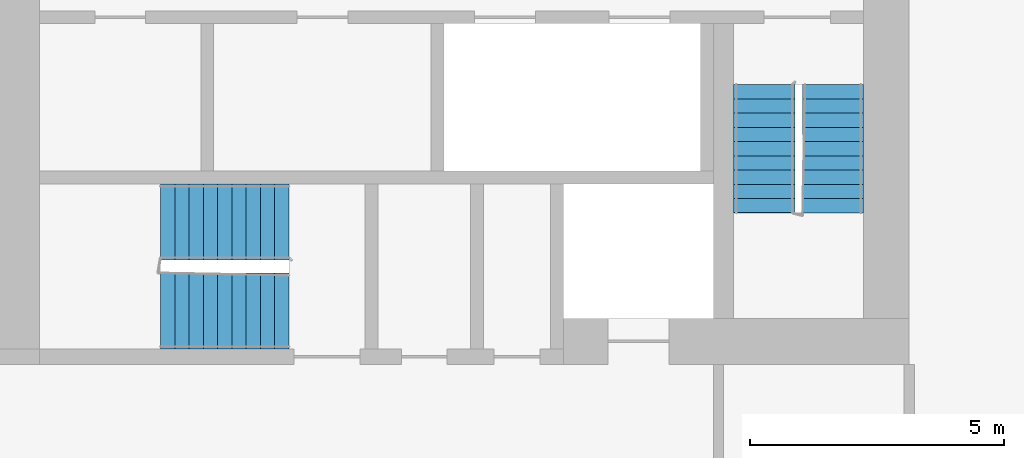
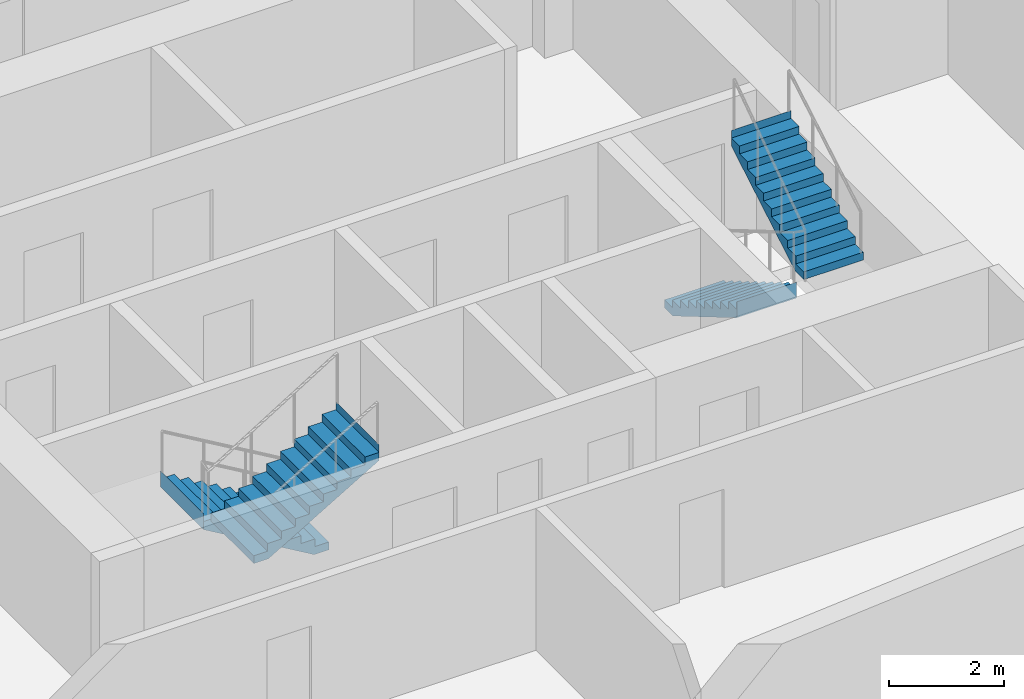
# One storey, part 9 of 12: 4 stair flights, 2 elements without a shape of their own.
"""IFC4 building model written with IfcOpenShell, lengths in metres."""

from ifc_helpers import new_model, si_unit, direction, frame, origin, place, context, subcontext, project, spatial, faceted_brep, material, type_object, element, aggregate, save


model = new_model("IFC4")

# Units and contexts
model_context = context("Model", 3, precision=1e-05, world=origin(), true_north=direction((0.0, 1.0)))
body_context = subcontext(model_context, "Body", "Model", "MODEL_VIEW")
ifc_project = project(units=[si_unit("LENGTHUNIT", "METRE"), si_unit("AREAUNIT", "SQUARE_METRE"), si_unit("VOLUMEUNIT", "CUBIC_METRE"), si_unit("PLANEANGLEUNIT", "RADIAN"), si_unit("MASSUNIT", "GRAM", prefix="KILO")], contexts=[model_context])

# Site, building, storey
site_placement = place(None, origin())
site = spatial("IfcSite", under=ifc_project, at=site_placement, CompositionType="ELEMENT")
building_placement = place(site_placement, origin())
building = spatial("IfcBuilding", under=site, at=building_placement, Name="Kajstack Hotel Tower", CompositionType="ELEMENT")
storey_placement = place(building_placement, frame((0.0, 0.0, 190.0)))
storey = spatial("IfcBuildingStorey", under=building, at=storey_placement, Name="L45", CompositionType="ELEMENT", Elevation=190.0)

# Stair, stair flights
ifc_material = material(Name="Concrete C40/50", Category="concrete")
stair_type_1 = type_object("IfcStairType", Name="Exit stair 1200", PredefinedType="HALF_TURN_STAIR", material=ifc_material)
stair_1_placement = place(storey_placement, origin())
stair_1 = element("IfcStair", 1, at=stair_1_placement, inside=storey, type_object=stair_type_1, Name="L45 stair W2", PredefinedType="HALF_TURN_STAIR")
stair_flight_type_1 = type_object("IfcStairFlightType", Name="Exit stair flight 1200", PredefinedType="STRAIGHT", material=ifc_material)
stair_flight_1_placement = place(storey_placement, frame((-16.35009765625, -10.0, 0.0), z_axis=(0.0, 0.0, 1.0), x_axis=(0.0, -1.0, 0.0)))
stair_flight_1 = element("IfcStairFlight", 2, at=stair_flight_1_placement, type_object=stair_flight_type_1, Name="W2 flight 1", NumberOfRisers=10, NumberOfTreads=9, PredefinedType="STRAIGHT", RiserHeight=0.165, TreadLength=0.28, context=body_context, shape_type="Brep", body=[
    faceted_brep([(0.295654296875, -0.60009765625, 0.0), (2.5205078125, -0.60009765625, 1.31103515625), (2.5205078125, -0.60009765625, 1.64990234375), (2.52001953125, -0.60009765625, 1.64990234375), (2.52001953125, -0.60009765625, 1.485107421875), (2.239990234375, -0.60009765625, 1.485107421875), (2.239990234375, -0.60009765625, 1.320068359375), (1.9599609375, -0.60009765625, 1.320068359375), (1.9599609375, -0.60009765625, 1.155029296875), (1.679931640625, -0.60009765625, 1.155029296875), (1.679931640625, -0.60009765625, 0.989990234375), (1.39990234375, -0.60009765625, 0.989990234375), (1.39990234375, -0.60009765625, 0.824951171875), (1.1201171875, -0.60009765625, 0.824951171875), (1.1201171875, -0.60009765625, 0.659912109375), (0.840087890625, -0.60009765625, 0.659912109375), (0.840087890625, -0.60009765625, 0.4951171875), (0.56005859375, -0.60009765625, 0.4951171875), (0.56005859375, -0.60009765625, 0.330078125), (0.280029296875, -0.60009765625, 0.330078125), (0.280029296875, -0.60009765625, 0.1650390625), (-0.00048828125, -0.60009765625, 0.1650390625), (-0.00048828125, -0.60009765625, 0.0), (-0.00048828125, 0.60009765625, 0.0), (-0.00048828125, 0.60009765625, 0.1650390625), (0.280029296875, 0.60009765625, 0.1650390625), (0.280029296875, 0.60009765625, 0.330078125), (0.56005859375, 0.60009765625, 0.330078125), (0.56005859375, 0.60009765625, 0.4951171875), (0.840087890625, 0.60009765625, 0.4951171875), (0.840087890625, 0.60009765625, 0.659912109375), (1.1201171875, 0.60009765625, 0.659912109375), (1.1201171875, 0.60009765625, 0.824951171875), (1.39990234375, 0.60009765625, 0.824951171875), (1.39990234375, 0.60009765625, 0.989990234375), (1.679931640625, 0.60009765625, 0.989990234375), (1.679931640625, 0.60009765625, 1.155029296875), (1.9599609375, 0.60009765625, 1.155029296875), (1.9599609375, 0.60009765625, 1.320068359375), (2.239990234375, 0.60009765625, 1.320068359375), (2.239990234375, 0.60009765625, 1.485107421875), (2.52001953125, 0.60009765625, 1.485107421875), (2.52001953125, 0.60009765625, 1.64990234375), (2.5205078125, 0.60009765625, 1.64990234375), (2.5205078125, 0.60009765625, 1.31103515625), (0.295654296875, 0.60009765625, 0.0), (-0.00048828125, -0.300048828125, 0.1650390625), (-0.00048828125, 0.0, 0.1650390625), (-0.00048828125, 0.300048828125, 0.1650390625), (-0.00048828125, 0.300048828125, 0.0), (-0.00048828125, 0.0, 0.0), (-0.00048828125, -0.300048828125, 0.0), (0.280029296875, -0.300048828125, 0.1650390625), (0.280029296875, 0.0, 0.1650390625), (0.280029296875, 0.300048828125, 0.1650390625), (0.280029296875, -0.300048828125, 0.330078125), (0.280029296875, 0.0, 0.330078125), (0.280029296875, 0.300048828125, 0.330078125), (0.56005859375, -0.300048828125, 0.330078125), (0.56005859375, 0.0, 0.330078125), (0.56005859375, 0.300048828125, 0.330078125), (0.56005859375, -0.300048828125, 0.4951171875), (0.56005859375, 0.0, 0.4951171875), (0.56005859375, 0.300048828125, 0.4951171875), (0.840087890625, -0.300048828125, 0.4951171875), (0.840087890625, 0.0, 0.4951171875), (0.840087890625, 0.300048828125, 0.4951171875), (0.840087890625, -0.300048828125, 0.659912109375), (0.840087890625, 0.0, 0.659912109375), (0.840087890625, 0.300048828125, 0.659912109375), (1.1201171875, -0.300048828125, 0.659912109375), (1.1201171875, 0.0, 0.659912109375), (1.1201171875, 0.300048828125, 0.659912109375), (1.1201171875, -0.300048828125, 0.824951171875), (1.1201171875, 0.0, 0.824951171875), (1.1201171875, 0.300048828125, 0.824951171875), (1.39990234375, -0.300048828125, 0.824951171875), (1.39990234375, 0.0, 0.824951171875), (1.39990234375, 0.300048828125, 0.824951171875), (1.39990234375, -0.300048828125, 0.989990234375), (1.39990234375, 0.0, 0.989990234375), (1.39990234375, 0.300048828125, 0.989990234375), (1.679931640625, -0.300048828125, 0.989990234375), (1.679931640625, 0.0, 0.989990234375), (1.679931640625, 0.300048828125, 0.989990234375), (1.679931640625, -0.300048828125, 1.155029296875), (1.679931640625, 0.0, 1.155029296875), (1.679931640625, 0.300048828125, 1.155029296875), (1.9599609375, -0.300048828125, 1.155029296875), (1.9599609375, 0.0, 1.155029296875), (1.9599609375, 0.300048828125, 1.155029296875), (1.9599609375, -0.300048828125, 1.320068359375), (1.9599609375, 0.0, 1.320068359375), (1.9599609375, 0.300048828125, 1.320068359375), (2.239990234375, -0.300048828125, 1.320068359375), (2.239990234375, 0.0, 1.320068359375), (2.239990234375, 0.300048828125, 1.320068359375), (2.239990234375, -0.300048828125, 1.485107421875), (2.239990234375, 0.0, 1.485107421875), (2.239990234375, 0.300048828125, 1.485107421875), (2.52001953125, -0.300048828125, 1.485107421875), (2.52001953125, 0.0, 1.485107421875), (2.52001953125, 0.300048828125, 1.485107421875), (2.52001953125, -0.300048828125, 1.64990234375), (2.52001953125, 0.0, 1.64990234375), (2.52001953125, 0.300048828125, 1.64990234375), (2.5205078125, -0.300048828125, 1.64990234375), (2.5205078125, 0.0, 1.64990234375), (2.5205078125, 0.300048828125, 1.64990234375), (2.5205078125, -0.300048828125, 1.31103515625), (2.5205078125, 0.0, 1.31103515625), (2.5205078125, 0.300048828125, 1.31103515625), (0.295654296875, -0.300048828125, 0.0), (0.295654296875, 0.0, 0.0), (0.295654296875, 0.300048828125, 0.0)], [[[0, 1, 2, 3, 4, 5, 6, 7, 8, 9, 10, 11, 12, 13, 14, 15, 16, 17, 18, 19, 20, 21, 22]], [[23, 24, 25, 26, 27, 28, 29, 30, 31, 32, 33, 34, 35, 36, 37, 38, 39, 40, 41, 42, 43, 44, 45]], [[21, 46, 47, 48, 24, 23, 49, 50, 51, 22]], [[20, 52, 53, 54, 25, 24, 48, 47, 46, 21]], [[19, 55, 56, 57, 26, 25, 54, 53, 52, 20]], [[18, 58, 59, 60, 27, 26, 57, 56, 55, 19]], [[17, 61, 62, 63, 28, 27, 60, 59, 58, 18]], [[16, 64, 65, 66, 29, 28, 63, 62, 61, 17]], [[15, 67, 68, 69, 30, 29, 66, 65, 64, 16]], [[14, 70, 71, 72, 31, 30, 69, 68, 67, 15]], [[13, 73, 74, 75, 32, 31, 72, 71, 70, 14]], [[12, 76, 77, 78, 33, 32, 75, 74, 73, 13]], [[11, 79, 80, 81, 34, 33, 78, 77, 76, 12]], [[10, 82, 83, 84, 35, 34, 81, 80, 79, 11]], [[9, 85, 86, 87, 36, 35, 84, 83, 82, 10]], [[8, 88, 89, 90, 37, 36, 87, 86, 85, 9]], [[7, 91, 92, 93, 38, 37, 90, 89, 88, 8]], [[6, 94, 95, 96, 39, 38, 93, 92, 91, 7]], [[5, 97, 98, 99, 40, 39, 96, 95, 94, 6]], [[4, 100, 101, 102, 41, 40, 99, 98, 97, 5]], [[3, 103, 104, 105, 42, 41, 102, 101, 100, 4]], [[2, 106, 107, 108, 43, 42, 105, 104, 103, 3]], [[1, 109, 110, 111, 44, 43, 108, 107, 106, 2]], [[0, 112, 113, 114, 45, 44, 111, 110, 109, 1]], [[22, 51, 50, 49, 23, 45, 114, 113, 112, 0]]]),
])
stair_flight_2_placement = place(storey_placement, frame((-15.0, -12.52001953125, 1.64990234375), z_axis=(0.0, 0.0, 1.0), x_axis=(0.0, 1.0, 0.0)))
stair_flight_2 = element("IfcStairFlight", 3, at=stair_flight_2_placement, type_object=stair_flight_type_1, Name="W2 flight 2", NumberOfRisers=10, NumberOfTreads=9, PredefinedType="STRAIGHT", RiserHeight=0.165, TreadLength=0.28, context=body_context, shape_type="Brep", body=[
    faceted_brep([(0.295654296875, -0.60009765625, 0.0), (2.5205078125, -0.60009765625, 1.31103515625), (2.5205078125, -0.60009765625, 1.64990234375), (2.52001953125, -0.60009765625, 1.64990234375), (2.52001953125, -0.60009765625, 1.485107421875), (2.239990234375, -0.60009765625, 1.485107421875), (2.239990234375, -0.60009765625, 1.320068359375), (1.9599609375, -0.60009765625, 1.320068359375), (1.9599609375, -0.60009765625, 1.155029296875), (1.679931640625, -0.60009765625, 1.155029296875), (1.679931640625, -0.60009765625, 0.989990234375), (1.39990234375, -0.60009765625, 0.989990234375), (1.39990234375, -0.60009765625, 0.824951171875), (1.1201171875, -0.60009765625, 0.824951171875), (1.1201171875, -0.60009765625, 0.659912109375), (0.840087890625, -0.60009765625, 0.659912109375), (0.840087890625, -0.60009765625, 0.4951171875), (0.56005859375, -0.60009765625, 0.4951171875), (0.56005859375, -0.60009765625, 0.330078125), (0.280029296875, -0.60009765625, 0.330078125), (0.280029296875, -0.60009765625, 0.1650390625), (-0.00048828125, -0.60009765625, 0.1650390625), (-0.00048828125, -0.60009765625, 0.0), (-0.00048828125, 0.60009765625, 0.0), (-0.00048828125, 0.60009765625, 0.1650390625), (0.280029296875, 0.60009765625, 0.1650390625), (0.280029296875, 0.60009765625, 0.330078125), (0.56005859375, 0.60009765625, 0.330078125), (0.56005859375, 0.60009765625, 0.4951171875), (0.840087890625, 0.60009765625, 0.4951171875), (0.840087890625, 0.60009765625, 0.659912109375), (1.1201171875, 0.60009765625, 0.659912109375), (1.1201171875, 0.60009765625, 0.824951171875), (1.39990234375, 0.60009765625, 0.824951171875), (1.39990234375, 0.60009765625, 0.989990234375), (1.679931640625, 0.60009765625, 0.989990234375), (1.679931640625, 0.60009765625, 1.155029296875), (1.9599609375, 0.60009765625, 1.155029296875), (1.9599609375, 0.60009765625, 1.320068359375), (2.239990234375, 0.60009765625, 1.320068359375), (2.239990234375, 0.60009765625, 1.485107421875), (2.52001953125, 0.60009765625, 1.485107421875), (2.52001953125, 0.60009765625, 1.64990234375), (2.5205078125, 0.60009765625, 1.64990234375), (2.5205078125, 0.60009765625, 1.31103515625), (0.295654296875, 0.60009765625, 0.0), (-0.00048828125, -0.300048828125, 0.1650390625), (-0.00048828125, 0.0, 0.1650390625), (-0.00048828125, 0.300048828125, 0.1650390625), (-0.00048828125, 0.300048828125, 0.0), (-0.00048828125, 0.0, 0.0), (-0.00048828125, -0.300048828125, 0.0), (0.280029296875, -0.300048828125, 0.1650390625), (0.280029296875, 0.0, 0.1650390625), (0.280029296875, 0.300048828125, 0.1650390625), (0.280029296875, -0.300048828125, 0.330078125), (0.280029296875, 0.0, 0.330078125), (0.280029296875, 0.300048828125, 0.330078125), (0.56005859375, -0.300048828125, 0.330078125), (0.56005859375, 0.0, 0.330078125), (0.56005859375, 0.300048828125, 0.330078125), (0.56005859375, -0.300048828125, 0.4951171875), (0.56005859375, 0.0, 0.4951171875), (0.56005859375, 0.300048828125, 0.4951171875), (0.840087890625, -0.300048828125, 0.4951171875), (0.840087890625, 0.0, 0.4951171875), (0.840087890625, 0.300048828125, 0.4951171875), (0.840087890625, -0.300048828125, 0.659912109375), (0.840087890625, 0.0, 0.659912109375), (0.840087890625, 0.300048828125, 0.659912109375), (1.1201171875, -0.300048828125, 0.659912109375), (1.1201171875, 0.0, 0.659912109375), (1.1201171875, 0.300048828125, 0.659912109375), (1.1201171875, -0.300048828125, 0.824951171875), (1.1201171875, 0.0, 0.824951171875), (1.1201171875, 0.300048828125, 0.824951171875), (1.39990234375, -0.300048828125, 0.824951171875), (1.39990234375, 0.0, 0.824951171875), (1.39990234375, 0.300048828125, 0.824951171875), (1.39990234375, -0.300048828125, 0.989990234375), (1.39990234375, 0.0, 0.989990234375), (1.39990234375, 0.300048828125, 0.989990234375), (1.679931640625, -0.300048828125, 0.989990234375), (1.679931640625, 0.0, 0.989990234375), (1.679931640625, 0.300048828125, 0.989990234375), (1.679931640625, -0.300048828125, 1.155029296875), (1.679931640625, 0.0, 1.155029296875), (1.679931640625, 0.300048828125, 1.155029296875), (1.9599609375, -0.300048828125, 1.155029296875), (1.9599609375, 0.0, 1.155029296875), (1.9599609375, 0.300048828125, 1.155029296875), (1.9599609375, -0.300048828125, 1.320068359375), (1.9599609375, 0.0, 1.320068359375), (1.9599609375, 0.300048828125, 1.320068359375), (2.239990234375, -0.300048828125, 1.320068359375), (2.239990234375, 0.0, 1.320068359375), (2.239990234375, 0.300048828125, 1.320068359375), (2.239990234375, -0.300048828125, 1.485107421875), (2.239990234375, 0.0, 1.485107421875), (2.239990234375, 0.300048828125, 1.485107421875), (2.52001953125, -0.300048828125, 1.485107421875), (2.52001953125, 0.0, 1.485107421875), (2.52001953125, 0.300048828125, 1.485107421875), (2.52001953125, -0.300048828125, 1.64990234375), (2.52001953125, 0.0, 1.64990234375), (2.52001953125, 0.300048828125, 1.64990234375), (2.5205078125, -0.300048828125, 1.64990234375), (2.5205078125, 0.0, 1.64990234375), (2.5205078125, 0.300048828125, 1.64990234375), (2.5205078125, -0.300048828125, 1.31103515625), (2.5205078125, 0.0, 1.31103515625), (2.5205078125, 0.300048828125, 1.31103515625), (0.295654296875, -0.300048828125, 0.0), (0.295654296875, 0.0, 0.0), (0.295654296875, 0.300048828125, 0.0)], [[[0, 1, 2, 3, 4, 5, 6, 7, 8, 9, 10, 11, 12, 13, 14, 15, 16, 17, 18, 19, 20, 21, 22]], [[23, 24, 25, 26, 27, 28, 29, 30, 31, 32, 33, 34, 35, 36, 37, 38, 39, 40, 41, 42, 43, 44, 45]], [[21, 46, 47, 48, 24, 23, 49, 50, 51, 22]], [[20, 52, 53, 54, 25, 24, 48, 47, 46, 21]], [[19, 55, 56, 57, 26, 25, 54, 53, 52, 20]], [[18, 58, 59, 60, 27, 26, 57, 56, 55, 19]], [[17, 61, 62, 63, 28, 27, 60, 59, 58, 18]], [[16, 64, 65, 66, 29, 28, 63, 62, 61, 17]], [[15, 67, 68, 69, 30, 29, 66, 65, 64, 16]], [[14, 70, 71, 72, 31, 30, 69, 68, 67, 15]], [[13, 73, 74, 75, 32, 31, 72, 71, 70, 14]], [[12, 76, 77, 78, 33, 32, 75, 74, 73, 13]], [[11, 79, 80, 81, 34, 33, 78, 77, 76, 12]], [[10, 82, 83, 84, 35, 34, 81, 80, 79, 11]], [[9, 85, 86, 87, 36, 35, 84, 83, 82, 10]], [[8, 88, 89, 90, 37, 36, 87, 86, 85, 9]], [[7, 91, 92, 93, 38, 37, 90, 89, 88, 8]], [[6, 94, 95, 96, 39, 38, 93, 92, 91, 7]], [[5, 97, 98, 99, 40, 39, 96, 95, 94, 6]], [[4, 100, 101, 102, 41, 40, 99, 98, 97, 5]], [[3, 103, 104, 105, 42, 41, 102, 101, 100, 4]], [[2, 106, 107, 108, 43, 42, 105, 104, 103, 3]], [[1, 109, 110, 111, 44, 43, 108, 107, 106, 2]], [[0, 112, 113, 114, 45, 44, 111, 110, 109, 1]], [[22, 51, 50, 49, 23, 45, 114, 113, 112, 0]]]),
])
aggregate(stair_1, [stair_flight_1, stair_flight_2])

stair_type_2 = type_object("IfcStairType", Name="Exit stair 1500", PredefinedType="HALF_TURN_STAIR", material=ifc_material)
stair_2_placement = place(storey_placement, origin())
stair_2 = element("IfcStair", 4, at=stair_2_placement, inside=storey, type_object=stair_type_2, Name="L45 stair W3", PredefinedType="HALF_TURN_STAIR")
stair_flight_type_2 = type_object("IfcStairFlightType", Name="Exit stair flight 1500", PredefinedType="STRAIGHT", material=ifc_material)
stair_flight_3_placement = place(storey_placement, frame((-25.699951171875, -12.699951171875, 0.0), z_axis=(0.0, 0.0, 1.0), x_axis=(-1.0, 0.0, 0.0)))
stair_flight_3 = element("IfcStairFlight", 5, at=stair_flight_3_placement, type_object=stair_flight_type_2, Name="W3 flight 1", NumberOfRisers=10, NumberOfTreads=9, PredefinedType="STRAIGHT", RiserHeight=0.165, TreadLength=0.28, context=body_context, shape_type="Brep", body=[
    faceted_brep([(0.295654296875, -0.75, 0.0), (2.5205078125, -0.75, 1.31103515625), (2.5205078125, -0.75, 1.64990234375), (2.52001953125, -0.75, 1.64990234375), (2.52001953125, -0.75, 1.485107421875), (2.239990234375, -0.75, 1.485107421875), (2.239990234375, -0.75, 1.320068359375), (1.9599609375, -0.75, 1.320068359375), (1.9599609375, -0.75, 1.155029296875), (1.679931640625, -0.75, 1.155029296875), (1.679931640625, -0.75, 0.989990234375), (1.39990234375, -0.75, 0.989990234375), (1.39990234375, -0.75, 0.824951171875), (1.1201171875, -0.75, 0.824951171875), (1.1201171875, -0.75, 0.659912109375), (0.840087890625, -0.75, 0.659912109375), (0.840087890625, -0.75, 0.4951171875), (0.56005859375, -0.75, 0.4951171875), (0.56005859375, -0.75, 0.330078125), (0.280029296875, -0.75, 0.330078125), (0.280029296875, -0.75, 0.1650390625), (-0.00048828125, -0.75, 0.1650390625), (-0.00048828125, -0.75, 0.0), (-0.00048828125, 0.75, 0.0), (-0.00048828125, 0.75, 0.1650390625), (0.280029296875, 0.75, 0.1650390625), (0.280029296875, 0.75, 0.330078125), (0.56005859375, 0.75, 0.330078125), (0.56005859375, 0.75, 0.4951171875), (0.840087890625, 0.75, 0.4951171875), (0.840087890625, 0.75, 0.659912109375), (1.1201171875, 0.75, 0.659912109375), (1.1201171875, 0.75, 0.824951171875), (1.39990234375, 0.75, 0.824951171875), (1.39990234375, 0.75, 0.989990234375), (1.679931640625, 0.75, 0.989990234375), (1.679931640625, 0.75, 1.155029296875), (1.9599609375, 0.75, 1.155029296875), (1.9599609375, 0.75, 1.320068359375), (2.239990234375, 0.75, 1.320068359375), (2.239990234375, 0.75, 1.485107421875), (2.52001953125, 0.75, 1.485107421875), (2.52001953125, 0.75, 1.64990234375), (2.5205078125, 0.75, 1.64990234375), (2.5205078125, 0.75, 1.31103515625), (0.295654296875, 0.75, 0.0), (-0.00048828125, -0.375, 0.1650390625), (-0.00048828125, 0.0, 0.1650390625), (-0.00048828125, 0.375, 0.1650390625), (-0.00048828125, 0.375, 0.0), (-0.00048828125, 0.0, 0.0), (-0.00048828125, -0.375, 0.0), (0.280029296875, -0.375, 0.1650390625), (0.280029296875, 0.0, 0.1650390625), (0.280029296875, 0.375, 0.1650390625), (0.280029296875, -0.375, 0.330078125), (0.280029296875, 0.0, 0.330078125), (0.280029296875, 0.375, 0.330078125), (0.56005859375, -0.375, 0.330078125), (0.56005859375, 0.0, 0.330078125), (0.56005859375, 0.375, 0.330078125), (0.56005859375, -0.375, 0.4951171875), (0.56005859375, 0.0, 0.4951171875), (0.56005859375, 0.375, 0.4951171875), (0.840087890625, -0.375, 0.4951171875), (0.840087890625, 0.0, 0.4951171875), (0.840087890625, 0.375, 0.4951171875), (0.840087890625, -0.375, 0.659912109375), (0.840087890625, 0.0, 0.659912109375), (0.840087890625, 0.375, 0.659912109375), (1.1201171875, -0.375, 0.659912109375), (1.1201171875, 0.0, 0.659912109375), (1.1201171875, 0.375, 0.659912109375), (1.1201171875, -0.375, 0.824951171875), (1.1201171875, 0.0, 0.824951171875), (1.1201171875, 0.375, 0.824951171875), (1.39990234375, -0.375, 0.824951171875), (1.39990234375, 0.0, 0.824951171875), (1.39990234375, 0.375, 0.824951171875), (1.39990234375, -0.375, 0.989990234375), (1.39990234375, 0.0, 0.989990234375), (1.39990234375, 0.375, 0.989990234375), (1.679931640625, -0.375, 0.989990234375), (1.679931640625, 0.0, 0.989990234375), (1.679931640625, 0.375, 0.989990234375), (1.679931640625, -0.375, 1.155029296875), (1.679931640625, 0.0, 1.155029296875), (1.679931640625, 0.375, 1.155029296875), (1.9599609375, -0.375, 1.155029296875), (1.9599609375, 0.0, 1.155029296875), (1.9599609375, 0.375, 1.155029296875), (1.9599609375, -0.375, 1.320068359375), (1.9599609375, 0.0, 1.320068359375), (1.9599609375, 0.375, 1.320068359375), (2.239990234375, -0.375, 1.320068359375), (2.239990234375, 0.0, 1.320068359375), (2.239990234375, 0.375, 1.320068359375), (2.239990234375, -0.375, 1.485107421875), (2.239990234375, 0.0, 1.485107421875), (2.239990234375, 0.375, 1.485107421875), (2.52001953125, -0.375, 1.485107421875), (2.52001953125, 0.0, 1.485107421875), (2.52001953125, 0.375, 1.485107421875), (2.52001953125, -0.375, 1.64990234375), (2.52001953125, 0.0, 1.64990234375), (2.52001953125, 0.375, 1.64990234375), (2.5205078125, -0.375, 1.64990234375), (2.5205078125, 0.0, 1.64990234375), (2.5205078125, 0.375, 1.64990234375), (2.5205078125, -0.375, 1.31103515625), (2.5205078125, 0.0, 1.31103515625), (2.5205078125, 0.375, 1.31103515625), (0.295654296875, -0.375, 0.0), (0.295654296875, 0.0, 0.0), (0.295654296875, 0.375, 0.0)], [[[0, 1, 2, 3, 4, 5, 6, 7, 8, 9, 10, 11, 12, 13, 14, 15, 16, 17, 18, 19, 20, 21, 22]], [[23, 24, 25, 26, 27, 28, 29, 30, 31, 32, 33, 34, 35, 36, 37, 38, 39, 40, 41, 42, 43, 44, 45]], [[21, 46, 47, 48, 24, 23, 49, 50, 51, 22]], [[20, 52, 53, 54, 25, 24, 48, 47, 46, 21]], [[19, 55, 56, 57, 26, 25, 54, 53, 52, 20]], [[18, 58, 59, 60, 27, 26, 57, 56, 55, 19]], [[17, 61, 62, 63, 28, 27, 60, 59, 58, 18]], [[16, 64, 65, 66, 29, 28, 63, 62, 61, 17]], [[15, 67, 68, 69, 30, 29, 66, 65, 64, 16]], [[14, 70, 71, 72, 31, 30, 69, 68, 67, 15]], [[13, 73, 74, 75, 32, 31, 72, 71, 70, 14]], [[12, 76, 77, 78, 33, 32, 75, 74, 73, 13]], [[11, 79, 80, 81, 34, 33, 78, 77, 76, 12]], [[10, 82, 83, 84, 35, 34, 81, 80, 79, 11]], [[9, 85, 86, 87, 36, 35, 84, 83, 82, 10]], [[8, 88, 89, 90, 37, 36, 87, 86, 85, 9]], [[7, 91, 92, 93, 38, 37, 90, 89, 88, 8]], [[6, 94, 95, 96, 39, 38, 93, 92, 91, 7]], [[5, 97, 98, 99, 40, 39, 96, 95, 94, 6]], [[4, 100, 101, 102, 41, 40, 99, 98, 97, 5]], [[3, 103, 104, 105, 42, 41, 102, 101, 100, 4]], [[2, 106, 107, 108, 43, 42, 105, 104, 103, 3]], [[1, 109, 110, 111, 44, 43, 108, 107, 106, 2]], [[0, 112, 113, 114, 45, 44, 111, 110, 109, 1]], [[22, 51, 50, 49, 23, 45, 114, 113, 112, 0]]]),
])
stair_flight_4_placement = place(storey_placement, frame((-28.219970703125, -14.449951171875, 1.64990234375), z_axis=(0.0, 0.0, 1.0), x_axis=(1.0, 0.0, 0.0)))
stair_flight_4 = element("IfcStairFlight", 6, at=stair_flight_4_placement, type_object=stair_flight_type_2, Name="W3 flight 2", NumberOfRisers=10, NumberOfTreads=9, PredefinedType="STRAIGHT", RiserHeight=0.165, TreadLength=0.28, context=body_context, shape_type="Brep", body=[
    faceted_brep([(0.295654296875, -0.75, 0.0), (2.5205078125, -0.75, 1.31103515625), (2.5205078125, -0.75, 1.64990234375), (2.52001953125, -0.75, 1.64990234375), (2.52001953125, -0.75, 1.485107421875), (2.239990234375, -0.75, 1.485107421875), (2.239990234375, -0.75, 1.320068359375), (1.9599609375, -0.75, 1.320068359375), (1.9599609375, -0.75, 1.155029296875), (1.679931640625, -0.75, 1.155029296875), (1.679931640625, -0.75, 0.989990234375), (1.39990234375, -0.75, 0.989990234375), (1.39990234375, -0.75, 0.824951171875), (1.1201171875, -0.75, 0.824951171875), (1.1201171875, -0.75, 0.659912109375), (0.840087890625, -0.75, 0.659912109375), (0.840087890625, -0.75, 0.4951171875), (0.56005859375, -0.75, 0.4951171875), (0.56005859375, -0.75, 0.330078125), (0.280029296875, -0.75, 0.330078125), (0.280029296875, -0.75, 0.1650390625), (-0.00048828125, -0.75, 0.1650390625), (-0.00048828125, -0.75, 0.0), (-0.00048828125, 0.75, 0.0), (-0.00048828125, 0.75, 0.1650390625), (0.280029296875, 0.75, 0.1650390625), (0.280029296875, 0.75, 0.330078125), (0.56005859375, 0.75, 0.330078125), (0.56005859375, 0.75, 0.4951171875), (0.840087890625, 0.75, 0.4951171875), (0.840087890625, 0.75, 0.659912109375), (1.1201171875, 0.75, 0.659912109375), (1.1201171875, 0.75, 0.824951171875), (1.39990234375, 0.75, 0.824951171875), (1.39990234375, 0.75, 0.989990234375), (1.679931640625, 0.75, 0.989990234375), (1.679931640625, 0.75, 1.155029296875), (1.9599609375, 0.75, 1.155029296875), (1.9599609375, 0.75, 1.320068359375), (2.239990234375, 0.75, 1.320068359375), (2.239990234375, 0.75, 1.485107421875), (2.52001953125, 0.75, 1.485107421875), (2.52001953125, 0.75, 1.64990234375), (2.5205078125, 0.75, 1.64990234375), (2.5205078125, 0.75, 1.31103515625), (0.295654296875, 0.75, 0.0), (-0.00048828125, -0.375, 0.1650390625), (-0.00048828125, 0.0, 0.1650390625), (-0.00048828125, 0.375, 0.1650390625), (-0.00048828125, 0.375, 0.0), (-0.00048828125, 0.0, 0.0), (-0.00048828125, -0.375, 0.0), (0.280029296875, -0.375, 0.1650390625), (0.280029296875, 0.0, 0.1650390625), (0.280029296875, 0.375, 0.1650390625), (0.280029296875, -0.375, 0.330078125), (0.280029296875, 0.0, 0.330078125), (0.280029296875, 0.375, 0.330078125), (0.56005859375, -0.375, 0.330078125), (0.56005859375, 0.0, 0.330078125), (0.56005859375, 0.375, 0.330078125), (0.56005859375, -0.375, 0.4951171875), (0.56005859375, 0.0, 0.4951171875), (0.56005859375, 0.375, 0.4951171875), (0.840087890625, -0.375, 0.4951171875), (0.840087890625, 0.0, 0.4951171875), (0.840087890625, 0.375, 0.4951171875), (0.840087890625, -0.375, 0.659912109375), (0.840087890625, 0.0, 0.659912109375), (0.840087890625, 0.375, 0.659912109375), (1.1201171875, -0.375, 0.659912109375), (1.1201171875, 0.0, 0.659912109375), (1.1201171875, 0.375, 0.659912109375), (1.1201171875, -0.375, 0.824951171875), (1.1201171875, 0.0, 0.824951171875), (1.1201171875, 0.375, 0.824951171875), (1.39990234375, -0.375, 0.824951171875), (1.39990234375, 0.0, 0.824951171875), (1.39990234375, 0.375, 0.824951171875), (1.39990234375, -0.375, 0.989990234375), (1.39990234375, 0.0, 0.989990234375), (1.39990234375, 0.375, 0.989990234375), (1.679931640625, -0.375, 0.989990234375), (1.679931640625, 0.0, 0.989990234375), (1.679931640625, 0.375, 0.989990234375), (1.679931640625, -0.375, 1.155029296875), (1.679931640625, 0.0, 1.155029296875), (1.679931640625, 0.375, 1.155029296875), (1.9599609375, -0.375, 1.155029296875), (1.9599609375, 0.0, 1.155029296875), (1.9599609375, 0.375, 1.155029296875), (1.9599609375, -0.375, 1.320068359375), (1.9599609375, 0.0, 1.320068359375), (1.9599609375, 0.375, 1.320068359375), (2.239990234375, -0.375, 1.320068359375), (2.239990234375, 0.0, 1.320068359375), (2.239990234375, 0.375, 1.320068359375), (2.239990234375, -0.375, 1.485107421875), (2.239990234375, 0.0, 1.485107421875), (2.239990234375, 0.375, 1.485107421875), (2.52001953125, -0.375, 1.485107421875), (2.52001953125, 0.0, 1.485107421875), (2.52001953125, 0.375, 1.485107421875), (2.52001953125, -0.375, 1.64990234375), (2.52001953125, 0.0, 1.64990234375), (2.52001953125, 0.375, 1.64990234375), (2.5205078125, -0.375, 1.64990234375), (2.5205078125, 0.0, 1.64990234375), (2.5205078125, 0.375, 1.64990234375), (2.5205078125, -0.375, 1.31103515625), (2.5205078125, 0.0, 1.31103515625), (2.5205078125, 0.375, 1.31103515625), (0.295654296875, -0.375, 0.0), (0.295654296875, 0.0, 0.0), (0.295654296875, 0.375, 0.0)], [[[0, 1, 2, 3, 4, 5, 6, 7, 8, 9, 10, 11, 12, 13, 14, 15, 16, 17, 18, 19, 20, 21, 22]], [[23, 24, 25, 26, 27, 28, 29, 30, 31, 32, 33, 34, 35, 36, 37, 38, 39, 40, 41, 42, 43, 44, 45]], [[21, 46, 47, 48, 24, 23, 49, 50, 51, 22]], [[20, 52, 53, 54, 25, 24, 48, 47, 46, 21]], [[19, 55, 56, 57, 26, 25, 54, 53, 52, 20]], [[18, 58, 59, 60, 27, 26, 57, 56, 55, 19]], [[17, 61, 62, 63, 28, 27, 60, 59, 58, 18]], [[16, 64, 65, 66, 29, 28, 63, 62, 61, 17]], [[15, 67, 68, 69, 30, 29, 66, 65, 64, 16]], [[14, 70, 71, 72, 31, 30, 69, 68, 67, 15]], [[13, 73, 74, 75, 32, 31, 72, 71, 70, 14]], [[12, 76, 77, 78, 33, 32, 75, 74, 73, 13]], [[11, 79, 80, 81, 34, 33, 78, 77, 76, 12]], [[10, 82, 83, 84, 35, 34, 81, 80, 79, 11]], [[9, 85, 86, 87, 36, 35, 84, 83, 82, 10]], [[8, 88, 89, 90, 37, 36, 87, 86, 85, 9]], [[7, 91, 92, 93, 38, 37, 90, 89, 88, 8]], [[6, 94, 95, 96, 39, 38, 93, 92, 91, 7]], [[5, 97, 98, 99, 40, 39, 96, 95, 94, 6]], [[4, 100, 101, 102, 41, 40, 99, 98, 97, 5]], [[3, 103, 104, 105, 42, 41, 102, 101, 100, 4]], [[2, 106, 107, 108, 43, 42, 105, 104, 103, 3]], [[1, 109, 110, 111, 44, 43, 108, 107, 106, 2]], [[0, 112, 113, 114, 45, 44, 111, 110, 109, 1]], [[22, 51, 50, 49, 23, 45, 114, 113, 112, 0]]]),
])
aggregate(stair_2, [stair_flight_3, stair_flight_4])

save(model, "model.ifc")
